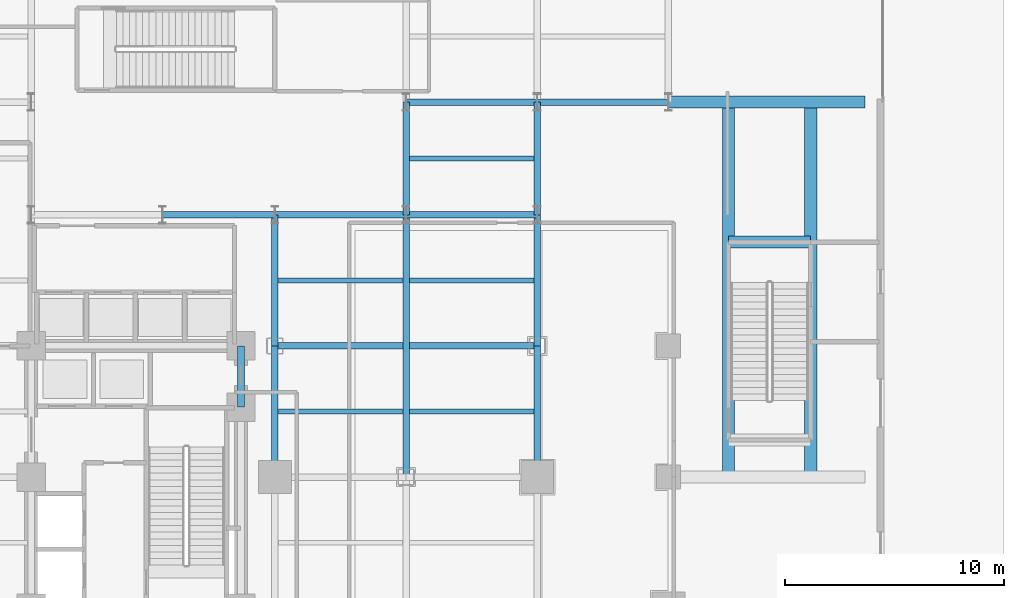
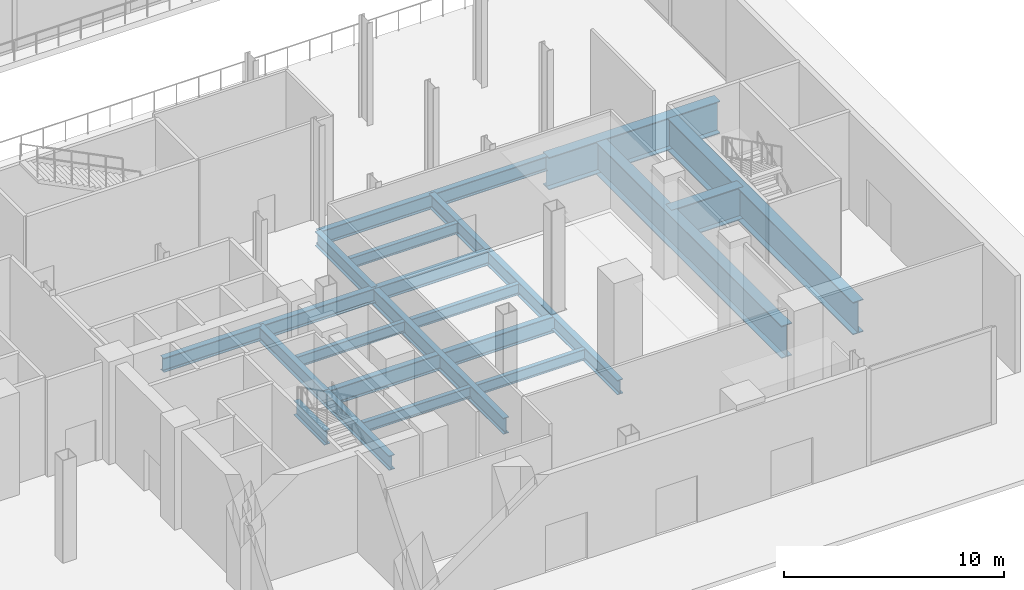
# One storey, part 8 of 27: 23 beams.
"""IFC4 building model written with IfcOpenShell, lengths in metres."""

from ifc_helpers import new_model, si_unit, direction, frame, origin, origin_2d, place, context, subcontext, project, spatial, i_section, extrude, material, material_profile, profile_set, type_object, element, save


model = new_model("IFC4")

# Units and contexts
model_context = context("Model", 3, precision=1e-05, world=origin(), true_north=direction((0.0, 1.0)))
body_context = subcontext(model_context, "Body", "Model", "MODEL_VIEW")
ifc_project = project(units=[si_unit("LENGTHUNIT", "METRE"), si_unit("AREAUNIT", "SQUARE_METRE"), si_unit("VOLUMEUNIT", "CUBIC_METRE"), si_unit("PLANEANGLEUNIT", "RADIAN"), si_unit("MASSUNIT", "GRAM", prefix="KILO"), si_unit("THERMODYNAMICTEMPERATUREUNIT", "KELVIN"), si_unit("POWERUNIT", "WATT")], contexts=[model_context])

# Site, building, storey
site_placement = place(None, origin())
site = spatial("IfcSite", under=ifc_project, at=site_placement, CompositionType="ELEMENT")
building_placement = place(site_placement, origin())
building = spatial("IfcBuilding", under=site, at=building_placement, Name="Svarakhadi Broadcast Tower", CompositionType="ELEMENT")
storey_placement = place(building_placement, origin())
storey = spatial("IfcBuildingStorey", under=building, at=storey_placement, Name="L00", CompositionType="ELEMENT", Elevation=0.0)

# Beams
ifc_material_1 = material(Name="Steel S355J2 (IS 2062 E350C)", Category="steel")
ifc_material_profile_1 = material_profile(ifc_material_1, i_section(OverallWidth=0.219970703125, OverallDepth=0.60009765625, WebThickness=0.011962890625, FlangeThickness=0.01904296875, FilletRadius=0.02392578125, at=origin_2d()), Name="NPB 600x220x122")
ifc_profile_set_1 = profile_set([ifc_material_profile_1], Name="Steel S355J2 (IS 2062 E350C)")
beam_type_1 = type_object("IfcBeamType", Name="Beam_NPB600", PredefinedType="BEAM", material=ifc_profile_set_1)
for number, where, z_axis, x_axis, name in (
    (1, (35.31005859375, 15.0, -0.64990234375), (1.0, 0.0, 0.0), (0.0, 1.0, 0.0), "L00 Secondary Composite Beam SB021"),
    (2, (35.31005859375, 21.0, -0.64990234375), (1.0, 0.0, 0.0), (0.0, 1.0, 0.0), "L00 Secondary Composite Beam SB022"),
    (3, (41.31005859375, 15.0, -0.64990234375), (1.0, 0.0, 0.0), (0.0, 1.0, 0.0), "L00 Secondary Composite Beam SB025"),
    (4, (41.31005859375, 21.0, -0.64990234375), (1.0, 0.0, 0.0), (0.0, 1.0, 0.0), "L00 Secondary Composite Beam SB026"),
    (5, (41.31005859375, 26.574951171875, -0.64990234375), (1.0, 0.0, 0.0), (0.0, 1.0, 0.0), "L00 Secondary Composite Beam SB027"),
):
    element("IfcBeam", number, at=place(storey_placement, frame(where, z_axis=z_axis, x_axis=x_axis)), inside=storey, type_object=beam_type_1, Name=name, PredefinedType="BEAM", context=body_context, shape_type="SweptSolid", body=[
        extrude(i_section(OverallWidth=0.219970703125, OverallDepth=0.60009765625, WebThickness=0.011962890625, FlangeThickness=0.01904296875, FilletRadius=0.02392578125, at=origin_2d()), origin(), (0.0, 0.0, 1.0), 5.679931640625),
    ])
ifc_material_profile_2 = material_profile(ifc_material_1, i_section(OverallWidth=0.300048828125, OverallDepth=0.800048828125, WebThickness=0.017578125, FlangeThickness=0.032958984375, FilletRadius=0.030029296875, at=origin_2d()), Name="WPB 800x300x262")
ifc_profile_set_2 = profile_set([ifc_material_profile_2], Name="Steel S355J2 (IS 2062 E350C)")
beam_type_2 = type_object("IfcBeamType", Name="Girder_WPB800", PredefinedType="USERDEFINED", material=ifc_profile_set_2)
beam_1_placement = place(storey_placement, frame((30.0, 24.0, -0.75), z_axis=(1.0, 0.0, 0.0), x_axis=(0.0, 1.0, 0.0)))
element("IfcBeam", 6, at=beam_1_placement, inside=storey, type_object=beam_type_2, Name="L00 Primary E-W Girder G027", ObjectType="GIRDER", PredefinedType="USERDEFINED", context=body_context, shape_type="SweptSolid", body=[
    extrude(i_section(OverallWidth=0.300048828125, OverallDepth=0.800048828125, WebThickness=0.017578125, FlangeThickness=0.032958984375, FilletRadius=0.030029296875, at=origin_2d()), origin(), (0.0, 0.0, 1.0), 5.14990234375),
])
for number, where, z_axis, x_axis, name in (
    (7, (35.14990234375, 24.0, -0.75), (1.0, 0.0, 0.0), (0.0, 1.0, 0.0), "L00 Primary E-W Girder G028"),
    (8, (41.14990234375, 24.0, -0.75), (1.0, 0.0, 0.0), (0.0, 1.0, 0.0), "L00 Primary E-W Girder G029"),
    (9, (41.14990234375, 29.14990234375, -0.75), (1.0, 0.0, 0.0), (0.0, 1.0, 0.0), "L00 Primary E-W Girder G035"),
    (10, (47.14990234375, 29.14990234375, -0.75), (1.0, 0.0, 0.0), (0.0, 1.0, 0.0), "L00 Primary E-W Girder G036"),
):
    element("IfcBeam", number, at=place(storey_placement, frame(where, z_axis=z_axis, x_axis=x_axis)), inside=storey, type_object=beam_type_2, Name=name, ObjectType="GIRDER", PredefinedType="USERDEFINED", context=body_context, shape_type="SweptSolid", body=[
        extrude(i_section(OverallWidth=0.300048828125, OverallDepth=0.800048828125, WebThickness=0.017578125, FlangeThickness=0.032958984375, FilletRadius=0.030029296875, at=origin_2d()), origin(), (0.0, 0.0, 1.0), 6.0),
    ])
beam_2_placement = place(storey_placement, frame((33.60009765625, 15.199951171875, -0.75), z_axis=(0.0, 1.0, 0.0), x_axis=(-1.0, 0.0, 0.0)))
element("IfcBeam", 11, at=beam_2_placement, inside=storey, type_object=beam_type_2, Name="L00 Primary N-S Girder G071", ObjectType="GIRDER", PredefinedType="USERDEFINED", context=body_context, shape_type="SweptSolid", body=[
    extrude(i_section(OverallWidth=0.300048828125, OverallDepth=0.800048828125, WebThickness=0.017578125, FlangeThickness=0.032958984375, FilletRadius=0.030029296875, at=origin_2d()), origin(), (0.0, 0.0, 1.0), 2.800048828125),
])
for number, where, z_axis, x_axis, name in (
    (12, (35.14990234375, 12.0, -0.75), (0.0, 1.0, 0.0), (-1.0, 0.0, 0.0), "L00 Primary N-S Girder G073"),
    (13, (35.14990234375, 18.0, -0.75), (0.0, 1.0, 0.0), (-1.0, 0.0, 0.0), "L00 Primary N-S Girder G074"),
):
    element("IfcBeam", number, at=place(storey_placement, frame(where, z_axis=z_axis, x_axis=x_axis)), inside=storey, type_object=beam_type_2, Name=name, ObjectType="GIRDER", PredefinedType="USERDEFINED", context=body_context, shape_type="SweptSolid", body=[
        extrude(i_section(OverallWidth=0.300048828125, OverallDepth=0.800048828125, WebThickness=0.017578125, FlangeThickness=0.032958984375, FilletRadius=0.030029296875, at=origin_2d()), origin(), (0.0, 0.0, 1.0), 6.0),
    ])
beam_3_placement = place(storey_placement, frame((41.14990234375, 24.0, -0.75), z_axis=(0.0, 1.0, 0.0), x_axis=(-1.0, 0.0, 0.0)))
element("IfcBeam", 14, at=beam_3_placement, inside=storey, type_object=beam_type_2, Name="L00 Primary N-S Girder G077", ObjectType="GIRDER", PredefinedType="USERDEFINED", context=body_context, shape_type="SweptSolid", body=[
    extrude(i_section(OverallWidth=0.300048828125, OverallDepth=0.800048828125, WebThickness=0.017578125, FlangeThickness=0.032958984375, FilletRadius=0.030029296875, at=origin_2d()), origin(), (0.0, 0.0, 1.0), 5.14990234375),
])
for number, where, z_axis, x_axis, name in (
    (15, (47.14990234375, 12.0, -0.75), (0.0, 1.0, 0.0), (-1.0, 0.0, 0.0), "L00 Primary N-S Girder G080"),
    (16, (47.14990234375, 18.0, -0.75), (0.0, 1.0, 0.0), (-1.0, 0.0, 0.0), "L00 Primary N-S Girder G081"),
):
    element("IfcBeam", number, at=place(storey_placement, frame(where, z_axis=z_axis, x_axis=x_axis)), inside=storey, type_object=beam_type_2, Name=name, ObjectType="GIRDER", PredefinedType="USERDEFINED", context=body_context, shape_type="SweptSolid", body=[
        extrude(i_section(OverallWidth=0.300048828125, OverallDepth=0.800048828125, WebThickness=0.017578125, FlangeThickness=0.032958984375, FilletRadius=0.030029296875, at=origin_2d()), origin(), (0.0, 0.0, 1.0), 6.0),
    ])
beam_4_placement = place(storey_placement, frame((47.14990234375, 24.0, -0.75), z_axis=(0.0, 1.0, 0.0), x_axis=(-1.0, 0.0, 0.0)))
element("IfcBeam", 17, at=beam_4_placement, inside=storey, type_object=beam_type_2, Name="L00 Primary N-S Girder G082", ObjectType="GIRDER", PredefinedType="USERDEFINED", context=body_context, shape_type="SweptSolid", body=[
    extrude(i_section(OverallWidth=0.300048828125, OverallDepth=0.800048828125, WebThickness=0.017578125, FlangeThickness=0.032958984375, FilletRadius=0.030029296875, at=origin_2d()), origin(), (0.0, 0.0, 1.0), 5.14990234375),
])
ifc_material_2 = material(Name="Steel S460ML (IS 2062 E450BR)", Category="steel")
ifc_material_profile_3 = material_profile(ifc_material_2, i_section(OverallWidth=0.300048828125, OverallDepth=0.89990234375, WebThickness=0.0185546875, FlangeThickness=0.034912109375, FilletRadius=0.030029296875, at=origin_2d()), Name="WPB 900x300x291")
ifc_profile_set_3 = profile_set([ifc_material_profile_3], Name="Steel S460ML (IS 2062 E450BR)")
beam_type_3 = type_object("IfcBeamType", Name="Girder_WPB900", PredefinedType="USERDEFINED", material=ifc_profile_set_3)
for number, where, z_axis, x_axis, name in (
    (18, (35.14990234375, 18.0, -0.800048828125), (1.0, 0.0, 0.0), (0.0, 1.0, 0.0), "L00 Primary E-W Girder G025"),
    (19, (41.14990234375, 12.0, -0.800048828125), (0.0, 1.0, 0.0), (-1.0, 0.0, 0.0), "L00 Primary N-S Girder G076"),
):
    element("IfcBeam", number, at=place(storey_placement, frame(where, z_axis=z_axis, x_axis=x_axis)), inside=storey, type_object=beam_type_3, Name=name, ObjectType="GIRDER", PredefinedType="USERDEFINED", context=body_context, shape_type="SweptSolid", body=[
        extrude(i_section(OverallWidth=0.300048828125, OverallDepth=0.89990234375, WebThickness=0.0185546875, FlangeThickness=0.034912109375, FilletRadius=0.030029296875, at=origin_2d()), origin(), (0.0, 0.0, 1.0), 12.0),
    ])
ifc_material_profile_4 = material_profile(ifc_material_2, i_section(OverallWidth=0.550048828125, OverallDepth=1.800048828125, WebThickness=0.028076171875, FlangeThickness=0.044921875, at=origin_2d()), Name="PG 1800x550x45")
ifc_profile_set_4 = profile_set([ifc_material_profile_4], Name="Steel S460ML (IS 2062 E450BR)")
beam_type_4 = type_object("IfcBeamType", Name="Transfer_Girder_TG01", PredefinedType="USERDEFINED", material=ifc_profile_set_4)
beam_5_placement = place(storey_placement, frame((53.14990234375, 29.14990234375, -1.25), z_axis=(1.0, 0.0, 0.0), x_axis=(0.0, 1.0, 0.0)))
element("IfcBeam", 20, at=beam_5_placement, inside=storey, type_object=beam_type_4, Name="L00 Stair ST-04 North Anchor Transfer Girder TG-01", ObjectType="GIRDER", PredefinedType="USERDEFINED", context=body_context, shape_type="SweptSolid", body=[
    extrude(i_section(OverallWidth=0.550048828125, OverallDepth=1.800048828125, WebThickness=0.028076171875, FlangeThickness=0.044921875, at=origin_2d()), origin(), (0.0, 0.0, 1.0), 9.0),
])
for number, where, z_axis, x_axis, name in (
    (21, (55.89990234375, 12.0, -1.25), (0.0, 1.0, 0.0), (-1.0, 0.0, 0.0), "L00 Stair ST-04 West Shaft Transfer Girder TG-01"),
    (22, (59.659912109375, 12.0, -1.25), (0.0, 1.0, 0.0), (-1.0, 0.0, 0.0), "L00 Stair ST-04 East Shaft Transfer Girder TG-01"),
):
    element("IfcBeam", number, at=place(storey_placement, frame(where, z_axis=z_axis, x_axis=x_axis)), inside=storey, type_object=beam_type_4, Name=name, ObjectType="GIRDER", PredefinedType="USERDEFINED", context=body_context, shape_type="SweptSolid", body=[
        extrude(i_section(OverallWidth=0.550048828125, OverallDepth=1.800048828125, WebThickness=0.028076171875, FlangeThickness=0.044921875, at=origin_2d()), origin(), (0.0, 0.0, 1.0), 17.14990234375),
    ])
beam_6_placement = place(storey_placement, frame((55.89990234375, 22.75, -1.25), z_axis=(1.0, 0.0, 0.0), x_axis=(0.0, 1.0, 0.0)))
element("IfcBeam", 23, at=beam_6_placement, inside=storey, type_object=beam_type_4, Name="L00 Stair ST-04 North Wall Transfer Girder TG-01", ObjectType="GIRDER", PredefinedType="USERDEFINED", context=body_context, shape_type="SweptSolid", body=[
    extrude(i_section(OverallWidth=0.550048828125, OverallDepth=1.800048828125, WebThickness=0.028076171875, FlangeThickness=0.044921875, at=origin_2d()), origin(), (0.0, 0.0, 1.0), 3.760009765625),
])

save(model, "model.ifc")
